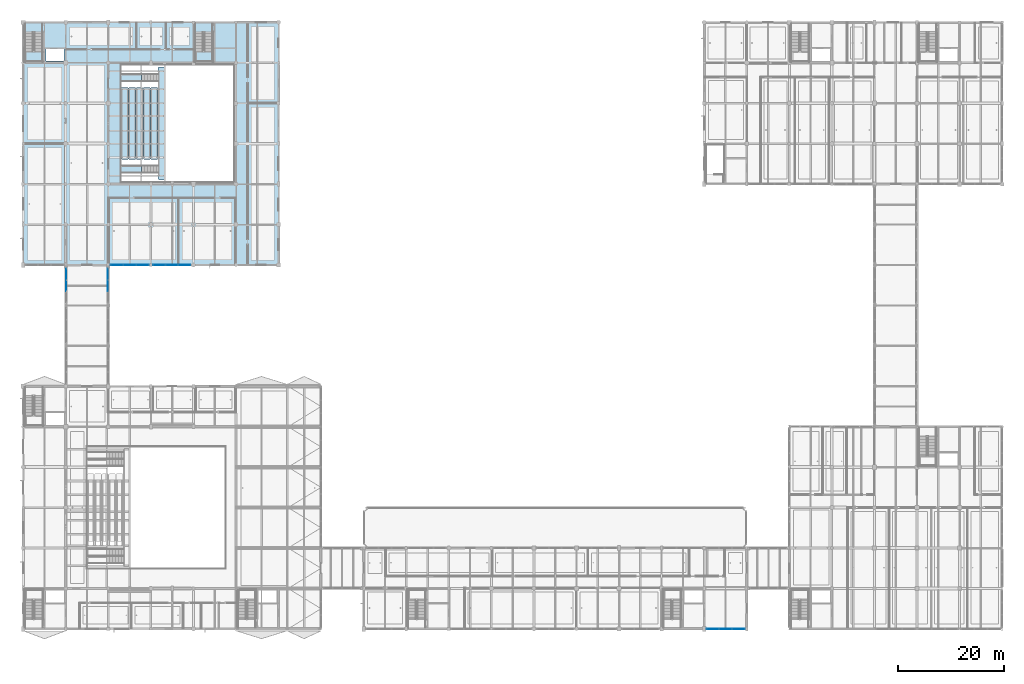
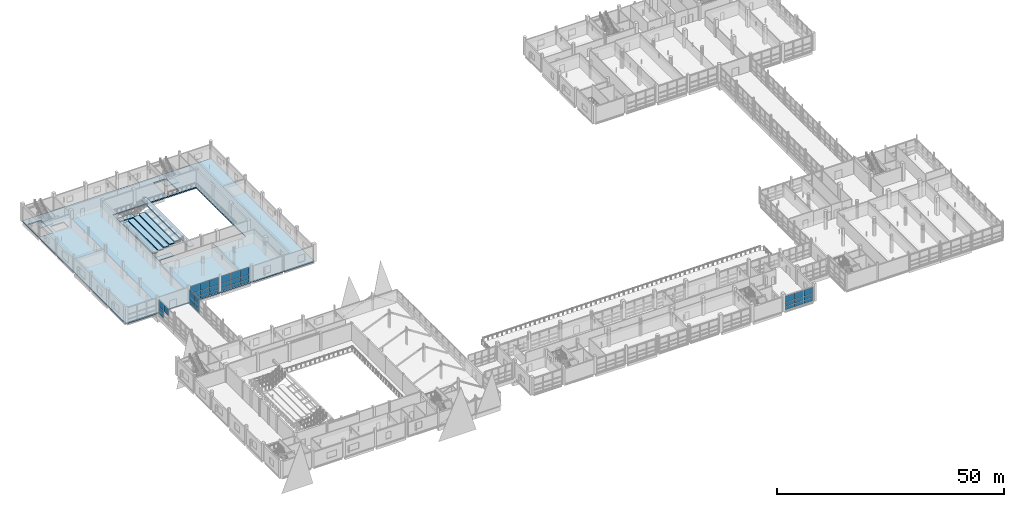
# One storey, part 72 of 147: 37 plates, 11 slabs, 9 elements without a shape of their own.
"""IFC4 building model written with IfcOpenShell, lengths in metres."""

from ifc_helpers import new_model, si_unit, direction, frame, origin, origin_2d, place, context, subcontext, project, spatial, polyline, rectangle, outline, extrude, material, layer, layer_set, type_object, element, aggregate, save


model = new_model("IFC4")

# Units and contexts
model_context = context("Model", 3, precision=1e-05, world=origin(), true_north=direction((0.0, 1.0)))
body_context = subcontext(model_context, "Body", "Model", "MODEL_VIEW")
ifc_project = project(units=[si_unit("LENGTHUNIT", "METRE"), si_unit("AREAUNIT", "SQUARE_METRE"), si_unit("VOLUMEUNIT", "CUBIC_METRE"), si_unit("PLANEANGLEUNIT", "RADIAN"), si_unit("MASSUNIT", "GRAM", prefix="KILO")], contexts=[model_context])

# Site, building, storey
site_placement = place(None, origin())
site = spatial("IfcSite", under=ifc_project, at=site_placement, CompositionType="ELEMENT")
building_placement = place(site_placement, origin())
building = spatial("IfcBuilding", under=site, at=building_placement, Name="Khelvaren Railside Concert Hall", CompositionType="ELEMENT")
storey_placement = place(building_placement, frame((0.0, 0.0, 5.39990234375)))
storey = spatial("IfcBuildingStorey", under=building, at=storey_placement, Name="L01", CompositionType="ELEMENT", Elevation=5.39990234375)

# Curtain wall, plates
ifc_material_1 = material(Name="Acoustic laminated crystal facade glass", Category="glass")
curtain_wall_type_1 = type_object("IfcCurtainWallType", Name="CW21", PredefinedType="USERDEFINED", material=ifc_material_1)
curtain_wall_1_placement = place(storey_placement, origin())
curtain_wall_1 = element("IfcCurtainWall", 1, at=curtain_wall_1_placement, inside=storey, type_object=curtain_wall_type_1, Name="Unitised Curtain Wall CW-V3-L01-S-128", ObjectType="UNITISED CURTAIN WALL", PredefinedType="USERDEFINED")
ifc_layer_1 = layer(ifc_material_1, 0.0400390625)
ifc_layer_set_1 = layer_set([ifc_layer_1], Name="Acoustic laminated crystal facade glass")
plate_type = type_object("IfcPlateType", Name="CWP77", PredefinedType="CURTAIN_PANEL", material=ifc_layer_set_1)
plate_1_placement = place(storey_placement, frame((134.435302734375, 0.0, 0.0849609375), z_axis=(0.0, 0.0, 1.0), x_axis=(-1.0, 0.0, 0.0)))
plate_1 = element("IfcPlate", 2, at=plate_1_placement, type_object=plate_type, Name="CW21 panel 1.1", PredefinedType="CURTAIN_PANEL", context=body_context, shape_type="SweptSolid", body=[
    extrude(rectangle(XDim=2.30419921875, YDim=0.0400390625, at=origin_2d()), origin(), (0.0, 0.0, 1.0), 0.822509765625),
])
plate_2_placement = place(storey_placement, frame((134.435302734375, 0.0, 0.99267578125), z_axis=(0.0, 0.0, 1.0), x_axis=(-1.0, 0.0, 0.0)))
plate_2 = element("IfcPlate", 3, at=plate_2_placement, type_object=plate_type, Name="CW21 panel 1.2", PredefinedType="CURTAIN_PANEL", context=body_context, shape_type="SweptSolid", body=[
    extrude(rectangle(XDim=2.30419921875, YDim=0.0400390625, at=origin_2d()), origin(), (0.0, 0.0, 1.0), 0.967041015625),
])
plate_3_placement = place(storey_placement, frame((134.435302734375, 0.0, 2.04443359375), z_axis=(0.0, 0.0, 1.0), x_axis=(-1.0, 0.0, 0.0)))
plate_3 = element("IfcPlate", 4, at=plate_3_placement, type_object=plate_type, Name="CW21 panel 1.3", PredefinedType="CURTAIN_PANEL", context=body_context, shape_type="SweptSolid", body=[
    extrude(rectangle(XDim=2.30419921875, YDim=0.0400390625, at=origin_2d()), origin(), (0.0, 0.0, 1.0), 1.720458984375),
])
plate_4_placement = place(storey_placement, frame((132.02490234375, 0.0, 0.0849609375), z_axis=(0.0, 0.0, 1.0), x_axis=(-1.0, 0.0, 0.0)))
plate_4 = element("IfcPlate", 5, at=plate_4_placement, type_object=plate_type, Name="CW21 panel 2.1", PredefinedType="CURTAIN_PANEL", context=body_context, shape_type="SweptSolid", body=[
    extrude(rectangle(XDim=2.3466796875, YDim=0.0400390625, at=origin_2d()), origin(), (0.0, 0.0, 1.0), 0.822509765625),
])
plate_5_placement = place(storey_placement, frame((132.02490234375, 0.0, 0.99267578125), z_axis=(0.0, 0.0, 1.0), x_axis=(-1.0, 0.0, 0.0)))
plate_5 = element("IfcPlate", 6, at=plate_5_placement, type_object=plate_type, Name="CW21 panel 2.2", PredefinedType="CURTAIN_PANEL", context=body_context, shape_type="SweptSolid", body=[
    extrude(rectangle(XDim=2.3466796875, YDim=0.0400390625, at=origin_2d()), origin(), (0.0, 0.0, 1.0), 0.967041015625),
])
plate_6_placement = place(storey_placement, frame((132.02490234375, 0.0, 2.04443359375), z_axis=(0.0, 0.0, 1.0), x_axis=(-1.0, 0.0, 0.0)))
plate_6 = element("IfcPlate", 7, at=plate_6_placement, type_object=plate_type, Name="CW21 panel 2.3", PredefinedType="CURTAIN_PANEL", context=body_context, shape_type="SweptSolid", body=[
    extrude(rectangle(XDim=2.3466796875, YDim=0.0400390625, at=origin_2d()), origin(), (0.0, 0.0, 1.0), 1.720458984375),
])
plate_7_placement = place(storey_placement, frame((129.614501953125, 0.0, 0.0849609375), z_axis=(0.0, 0.0, 1.0), x_axis=(-1.0, 0.0, 0.0)))
plate_7 = element("IfcPlate", 8, at=plate_7_placement, type_object=plate_type, Name="CW21 panel 3.1", PredefinedType="CURTAIN_PANEL", context=body_context, shape_type="SweptSolid", body=[
    extrude(rectangle(XDim=2.30419921875, YDim=0.0400390625, at=origin_2d()), origin(), (0.0, 0.0, 1.0), 0.822509765625),
])
plate_8_placement = place(storey_placement, frame((129.614501953125, 0.0, 0.99267578125), z_axis=(0.0, 0.0, 1.0), x_axis=(-1.0, 0.0, 0.0)))
plate_8 = element("IfcPlate", 9, at=plate_8_placement, type_object=plate_type, Name="CW21 panel 3.2", PredefinedType="CURTAIN_PANEL", context=body_context, shape_type="SweptSolid", body=[
    extrude(rectangle(XDim=2.30419921875, YDim=0.0400390625, at=origin_2d()), origin(), (0.0, 0.0, 1.0), 0.967041015625),
])
plate_9_placement = place(storey_placement, frame((129.614501953125, 0.0, 2.04443359375), z_axis=(0.0, 0.0, 1.0), x_axis=(-1.0, 0.0, 0.0)))
plate_9 = element("IfcPlate", 10, at=plate_9_placement, type_object=plate_type, Name="CW21 panel 3.3", PredefinedType="CURTAIN_PANEL", context=body_context, shape_type="SweptSolid", body=[
    extrude(rectangle(XDim=2.30419921875, YDim=0.0400390625, at=origin_2d()), origin(), (0.0, 0.0, 1.0), 1.720458984375),
])
aggregate(curtain_wall_1, [plate_1, plate_2, plate_3, plate_4, plate_5, plate_6, plate_7, plate_8, plate_9])

curtain_wall_type_2 = type_object("IfcCurtainWallType", Name="CW54", PredefinedType="USERDEFINED", material=ifc_material_1)
curtain_wall_2_placement = place(storey_placement, origin())
curtain_wall_2 = element("IfcCurtainWall", 11, at=curtain_wall_2_placement, inside=storey, type_object=curtain_wall_type_2, Name="Unitised Curtain Wall CW-V4-L01-S-16", ObjectType="UNITISED CURTAIN WALL", PredefinedType="USERDEFINED")
plate_10_placement = place(storey_placement, frame((22.435302734375, 68.39990234375, 0.0849609375), z_axis=(0.0, 0.0, 1.0), x_axis=(-1.0, 0.0, 0.0)))
plate_10 = element("IfcPlate", 12, at=plate_10_placement, type_object=plate_type, Name="CW54 panel 1.1", PredefinedType="CURTAIN_PANEL", context=body_context, shape_type="SweptSolid", body=[
    extrude(rectangle(XDim=2.30419921875, YDim=0.0400390625, at=origin_2d()), origin(), (0.0, 0.0, 1.0), 0.822509765625),
])
plate_11_placement = place(storey_placement, frame((22.435302734375, 68.39990234375, 0.99267578125), z_axis=(0.0, 0.0, 1.0), x_axis=(-1.0, 0.0, 0.0)))
plate_11 = element("IfcPlate", 13, at=plate_11_placement, type_object=plate_type, Name="CW54 panel 1.2", PredefinedType="CURTAIN_PANEL", context=body_context, shape_type="SweptSolid", body=[
    extrude(rectangle(XDim=2.30419921875, YDim=0.0400390625, at=origin_2d()), origin(), (0.0, 0.0, 1.0), 1.14892578125),
])
plate_12_placement = place(storey_placement, frame((22.435302734375, 68.39990234375, 2.2265625), z_axis=(0.0, 0.0, 1.0), x_axis=(-1.0, 0.0, 0.0)))
plate_12 = element("IfcPlate", 14, at=plate_12_placement, type_object=plate_type, Name="CW54 panel 1.3", PredefinedType="CURTAIN_PANEL", context=body_context, shape_type="SweptSolid", body=[
    extrude(rectangle(XDim=2.30419921875, YDim=0.0400390625, at=origin_2d()), origin(), (0.0, 0.0, 1.0), 1.888427734375),
])
plate_13_placement = place(storey_placement, frame((20.02490234375, 68.39990234375, 0.0849609375), z_axis=(0.0, 0.0, 1.0), x_axis=(-1.0, 0.0, 0.0)))
plate_13 = element("IfcPlate", 15, at=plate_13_placement, type_object=plate_type, Name="CW54 panel 2.1", PredefinedType="CURTAIN_PANEL", context=body_context, shape_type="SweptSolid", body=[
    extrude(rectangle(XDim=2.3466796875, YDim=0.0400390625, at=origin_2d()), origin(), (0.0, 0.0, 1.0), 0.822509765625),
])
plate_14_placement = place(storey_placement, frame((20.02490234375, 68.39990234375, 0.99267578125), z_axis=(0.0, 0.0, 1.0), x_axis=(-1.0, 0.0, 0.0)))
plate_14 = element("IfcPlate", 16, at=plate_14_placement, type_object=plate_type, Name="CW54 panel 2.2", PredefinedType="CURTAIN_PANEL", context=body_context, shape_type="SweptSolid", body=[
    extrude(rectangle(XDim=2.3466796875, YDim=0.0400390625, at=origin_2d()), origin(), (0.0, 0.0, 1.0), 1.14892578125),
])
plate_15_placement = place(storey_placement, frame((20.02490234375, 68.39990234375, 2.2265625), z_axis=(0.0, 0.0, 1.0), x_axis=(-1.0, 0.0, 0.0)))
plate_15 = element("IfcPlate", 17, at=plate_15_placement, type_object=plate_type, Name="CW54 panel 2.3", PredefinedType="CURTAIN_PANEL", context=body_context, shape_type="SweptSolid", body=[
    extrude(rectangle(XDim=2.3466796875, YDim=0.0400390625, at=origin_2d()), origin(), (0.0, 0.0, 1.0), 1.888427734375),
])
plate_16_placement = place(storey_placement, frame((17.614501953125, 68.39990234375, 0.0849609375), z_axis=(0.0, 0.0, 1.0), x_axis=(-1.0, 0.0, 0.0)))
plate_16 = element("IfcPlate", 18, at=plate_16_placement, type_object=plate_type, Name="CW54 panel 3.1", PredefinedType="CURTAIN_PANEL", context=body_context, shape_type="SweptSolid", body=[
    extrude(rectangle(XDim=2.30419921875, YDim=0.0400390625, at=origin_2d()), origin(), (0.0, 0.0, 1.0), 0.822509765625),
])
plate_17_placement = place(storey_placement, frame((17.614501953125, 68.39990234375, 0.99267578125), z_axis=(0.0, 0.0, 1.0), x_axis=(-1.0, 0.0, 0.0)))
plate_17 = element("IfcPlate", 19, at=plate_17_placement, type_object=plate_type, Name="CW54 panel 3.2", PredefinedType="CURTAIN_PANEL", context=body_context, shape_type="SweptSolid", body=[
    extrude(rectangle(XDim=2.30419921875, YDim=0.0400390625, at=origin_2d()), origin(), (0.0, 0.0, 1.0), 1.14892578125),
])
plate_18_placement = place(storey_placement, frame((17.614501953125, 68.39990234375, 2.2265625), z_axis=(0.0, 0.0, 1.0), x_axis=(-1.0, 0.0, 0.0)))
plate_18 = element("IfcPlate", 20, at=plate_18_placement, type_object=plate_type, Name="CW54 panel 3.3", PredefinedType="CURTAIN_PANEL", context=body_context, shape_type="SweptSolid", body=[
    extrude(rectangle(XDim=2.30419921875, YDim=0.0400390625, at=origin_2d()), origin(), (0.0, 0.0, 1.0), 1.888427734375),
])
aggregate(curtain_wall_2, [plate_10, plate_11, plate_12, plate_13, plate_14, plate_15, plate_16, plate_17, plate_18])

curtain_wall_type_3 = type_object("IfcCurtainWallType", Name="CW66", PredefinedType="USERDEFINED", material=ifc_material_1)
curtain_wall_3_placement = place(storey_placement, origin())
curtain_wall_3 = element("IfcCurtainWall", 21, at=curtain_wall_3_placement, inside=storey, type_object=curtain_wall_type_3, Name="Unitised Curtain Wall CW-V4-L01-S-24", ObjectType="UNITISED CURTAIN WALL", PredefinedType="USERDEFINED")
plate_19_placement = place(storey_placement, frame((30.302001953125, 68.39990234375, 0.0849609375), z_axis=(0.0, 0.0, 1.0), x_axis=(-1.0, 0.0, 0.0)))
plate_19 = element("IfcPlate", 22, at=plate_19_placement, type_object=plate_type, Name="CW66 panel 1.1", PredefinedType="CURTAIN_PANEL", context=body_context, shape_type="SweptSolid", body=[
    extrude(rectangle(XDim=2.270751953125, YDim=0.0400390625, at=origin_2d()), origin(), (0.0, 0.0, 1.0), 0.822509765625),
])
plate_20_placement = place(storey_placement, frame((30.302001953125, 68.39990234375, 0.99267578125), z_axis=(0.0, 0.0, 1.0), x_axis=(-1.0, 0.0, 0.0)))
plate_20 = element("IfcPlate", 23, at=plate_20_placement, type_object=plate_type, Name="CW66 panel 1.2", PredefinedType="CURTAIN_PANEL", context=body_context, shape_type="SweptSolid", body=[
    extrude(rectangle(XDim=2.270751953125, YDim=0.0400390625, at=origin_2d()), origin(), (0.0, 0.0, 1.0), 1.14892578125),
])
plate_21_placement = place(storey_placement, frame((30.302001953125, 68.39990234375, 2.2265625), z_axis=(0.0, 0.0, 1.0), x_axis=(-1.0, 0.0, 0.0)))
plate_21 = element("IfcPlate", 24, at=plate_21_placement, type_object=plate_type, Name="CW66 panel 1.3", PredefinedType="CURTAIN_PANEL", context=body_context, shape_type="SweptSolid", body=[
    extrude(rectangle(XDim=2.270751953125, YDim=0.0400390625, at=origin_2d()), origin(), (0.0, 0.0, 1.0), 1.888427734375),
])
plate_22_placement = place(storey_placement, frame((27.925048828125, 68.39990234375, 0.0849609375), z_axis=(0.0, 0.0, 1.0), x_axis=(-1.0, 0.0, 0.0)))
plate_22 = element("IfcPlate", 25, at=plate_22_placement, type_object=plate_type, Name="CW66 panel 2.1", PredefinedType="CURTAIN_PANEL", context=body_context, shape_type="SweptSolid", body=[
    extrude(rectangle(XDim=2.313232421875, YDim=0.0400390625, at=origin_2d()), origin(), (0.0, 0.0, 1.0), 0.822509765625),
])
plate_23_placement = place(storey_placement, frame((27.925048828125, 68.39990234375, 0.99267578125), z_axis=(0.0, 0.0, 1.0), x_axis=(-1.0, 0.0, 0.0)))
plate_23 = element("IfcPlate", 26, at=plate_23_placement, type_object=plate_type, Name="CW66 panel 2.2", PredefinedType="CURTAIN_PANEL", context=body_context, shape_type="SweptSolid", body=[
    extrude(rectangle(XDim=2.313232421875, YDim=0.0400390625, at=origin_2d()), origin(), (0.0, 0.0, 1.0), 1.14892578125),
])
plate_24_placement = place(storey_placement, frame((27.925048828125, 68.39990234375, 2.2265625), z_axis=(0.0, 0.0, 1.0), x_axis=(-1.0, 0.0, 0.0)))
plate_24 = element("IfcPlate", 27, at=plate_24_placement, type_object=plate_type, Name="CW66 panel 2.3", PredefinedType="CURTAIN_PANEL", context=body_context, shape_type="SweptSolid", body=[
    extrude(rectangle(XDim=2.313232421875, YDim=0.0400390625, at=origin_2d()), origin(), (0.0, 0.0, 1.0), 1.888427734375),
])
plate_25_placement = place(storey_placement, frame((25.5478515625, 68.39990234375, 0.0849609375), z_axis=(0.0, 0.0, 1.0), x_axis=(-1.0, 0.0, 0.0)))
plate_25 = element("IfcPlate", 28, at=plate_25_placement, type_object=plate_type, Name="CW66 panel 3.1", PredefinedType="CURTAIN_PANEL", context=body_context, shape_type="SweptSolid", body=[
    extrude(rectangle(XDim=2.270751953125, YDim=0.0400390625, at=origin_2d()), origin(), (0.0, 0.0, 1.0), 0.822509765625),
])
plate_26_placement = place(storey_placement, frame((25.5478515625, 68.39990234375, 0.99267578125), z_axis=(0.0, 0.0, 1.0), x_axis=(-1.0, 0.0, 0.0)))
plate_26 = element("IfcPlate", 29, at=plate_26_placement, type_object=plate_type, Name="CW66 panel 3.2", PredefinedType="CURTAIN_PANEL", context=body_context, shape_type="SweptSolid", body=[
    extrude(rectangle(XDim=2.270751953125, YDim=0.0400390625, at=origin_2d()), origin(), (0.0, 0.0, 1.0), 1.14892578125),
])
plate_27_placement = place(storey_placement, frame((25.5478515625, 68.39990234375, 2.2265625), z_axis=(0.0, 0.0, 1.0), x_axis=(-1.0, 0.0, 0.0)))
plate_27 = element("IfcPlate", 30, at=plate_27_placement, type_object=plate_type, Name="CW66 panel 3.3", PredefinedType="CURTAIN_PANEL", context=body_context, shape_type="SweptSolid", body=[
    extrude(rectangle(XDim=2.270751953125, YDim=0.0400390625, at=origin_2d()), origin(), (0.0, 0.0, 1.0), 1.888427734375),
])
aggregate(curtain_wall_3, [plate_19, plate_20, plate_21, plate_22, plate_23, plate_24, plate_25, plate_26, plate_27])

curtain_wall_type_4 = type_object("IfcCurtainWallType", Name="CW78", PredefinedType="USERDEFINED", material=ifc_material_1)
curtain_wall_4_placement = place(storey_placement, origin())
curtain_wall_4 = element("IfcCurtainWall", 31, at=curtain_wall_4_placement, inside=storey, type_object=curtain_wall_type_4, Name="Unitised Curtain Wall CW-LB3-L01-W3", ObjectType="UNITISED CURTAIN WALL", PredefinedType="USERDEFINED")
plate_28_placement = place(storey_placement, frame((8.10009765625, 64.52490234375, 2.1123046875), z_axis=(0.0, 0.0, 1.0), x_axis=(0.0, 1.0, 0.0)))
plate_28 = element("IfcPlate", 32, at=plate_28_placement, type_object=plate_type, Name="CW78 panel 2.3", PredefinedType="CURTAIN_PANEL", context=body_context, shape_type="SweptSolid", body=[
    extrude(rectangle(XDim=2.078369140625, YDim=0.0400390625, at=origin_2d()), origin(), (0.0, 0.0, 1.0), 1.782958984375),
])
plate_29_placement = place(storey_placement, frame((8.10009765625, 66.6669921875, 0.0849609375), z_axis=(0.0, 0.0, 1.0), x_axis=(0.0, 1.0, 0.0)))
plate_29 = element("IfcPlate", 33, at=plate_29_placement, type_object=plate_type, Name="CW78 panel 3.1", PredefinedType="CURTAIN_PANEL", context=body_context, shape_type="SweptSolid", body=[
    extrude(rectangle(XDim=2.035888671875, YDim=0.0400390625, at=origin_2d()), origin(), (0.0, 0.0, 1.0), 0.822509765625),
])
plate_30_placement = place(storey_placement, frame((8.10009765625, 66.6669921875, 0.99267578125), z_axis=(0.0, 0.0, 1.0), x_axis=(0.0, 1.0, 0.0)))
plate_30 = element("IfcPlate", 34, at=plate_30_placement, type_object=plate_type, Name="CW78 panel 3.2", PredefinedType="CURTAIN_PANEL", context=body_context, shape_type="SweptSolid", body=[
    extrude(rectangle(XDim=2.035888671875, YDim=0.0400390625, at=origin_2d()), origin(), (0.0, 0.0, 1.0), 1.03466796875),
])
plate_31_placement = place(storey_placement, frame((8.10009765625, 66.6669921875, 2.1123046875), z_axis=(0.0, 0.0, 1.0), x_axis=(0.0, 1.0, 0.0)))
plate_31 = element("IfcPlate", 35, at=plate_31_placement, type_object=plate_type, Name="CW78 panel 3.3", PredefinedType="CURTAIN_PANEL", context=body_context, shape_type="SweptSolid", body=[
    extrude(rectangle(XDim=2.035888671875, YDim=0.0400390625, at=origin_2d()), origin(), (0.0, 0.0, 1.0), 1.782958984375),
])
aggregate(curtain_wall_4, [plate_28, plate_29, plate_30, plate_31])

curtain_wall_5_placement = place(storey_placement, origin())
curtain_wall_5 = element("IfcCurtainWall", 36, at=curtain_wall_5_placement, inside=storey, type_object=curtain_wall_type_4, Name="Unitised Curtain Wall CW-LB3-L01-E3", ObjectType="UNITISED CURTAIN WALL", PredefinedType="USERDEFINED")
plate_32_placement = place(storey_placement, frame((15.89990234375, 66.6669921875, 0.0849609375), z_axis=(0.0, 0.0, 1.0), x_axis=(0.0, -1.0, 0.0)))
plate_32 = element("IfcPlate", 37, at=plate_32_placement, type_object=plate_type, Name="CW78 panel 1.1", PredefinedType="CURTAIN_PANEL", context=body_context, shape_type="SweptSolid", body=[
    extrude(rectangle(XDim=2.035888671875, YDim=0.0400390625, at=origin_2d()), origin(), (0.0, 0.0, 1.0), 0.822509765625),
])
plate_33_placement = place(storey_placement, frame((15.89990234375, 66.6669921875, 0.99267578125), z_axis=(0.0, 0.0, 1.0), x_axis=(0.0, -1.0, 0.0)))
plate_33 = element("IfcPlate", 38, at=plate_33_placement, type_object=plate_type, Name="CW78 panel 1.2", PredefinedType="CURTAIN_PANEL", context=body_context, shape_type="SweptSolid", body=[
    extrude(rectangle(XDim=2.035888671875, YDim=0.0400390625, at=origin_2d()), origin(), (0.0, 0.0, 1.0), 1.03466796875),
])
plate_34_placement = place(storey_placement, frame((15.89990234375, 66.6669921875, 2.1123046875), z_axis=(0.0, 0.0, 1.0), x_axis=(0.0, -1.0, 0.0)))
plate_34 = element("IfcPlate", 39, at=plate_34_placement, type_object=plate_type, Name="CW78 panel 1.3", PredefinedType="CURTAIN_PANEL", context=body_context, shape_type="SweptSolid", body=[
    extrude(rectangle(XDim=2.035888671875, YDim=0.0400390625, at=origin_2d()), origin(), (0.0, 0.0, 1.0), 1.782958984375),
])
plate_35_placement = place(storey_placement, frame((15.89990234375, 64.52490234375, 0.0849609375), z_axis=(0.0, 0.0, 1.0), x_axis=(0.0, -1.0, 0.0)))
plate_35 = element("IfcPlate", 40, at=plate_35_placement, type_object=plate_type, Name="CW78 panel 2.1", PredefinedType="CURTAIN_PANEL", context=body_context, shape_type="SweptSolid", body=[
    extrude(rectangle(XDim=2.078369140625, YDim=0.0400390625, at=origin_2d()), origin(), (0.0, 0.0, 1.0), 0.822509765625),
])
plate_36_placement = place(storey_placement, frame((15.89990234375, 64.52490234375, 0.99267578125), z_axis=(0.0, 0.0, 1.0), x_axis=(0.0, -1.0, 0.0)))
plate_36 = element("IfcPlate", 41, at=plate_36_placement, type_object=plate_type, Name="CW78 panel 2.2", PredefinedType="CURTAIN_PANEL", context=body_context, shape_type="SweptSolid", body=[
    extrude(rectangle(XDim=2.078369140625, YDim=0.0400390625, at=origin_2d()), origin(), (0.0, 0.0, 1.0), 1.03466796875),
])
plate_37_placement = place(storey_placement, frame((15.89990234375, 64.52490234375, 2.1123046875), z_axis=(0.0, 0.0, 1.0), x_axis=(0.0, -1.0, 0.0)))
plate_37 = element("IfcPlate", 42, at=plate_37_placement, type_object=plate_type, Name="CW78 panel 2.3", PredefinedType="CURTAIN_PANEL", context=body_context, shape_type="SweptSolid", body=[
    extrude(rectangle(XDim=2.078369140625, YDim=0.0400390625, at=origin_2d()), origin(), (0.0, 0.0, 1.0), 1.782958984375),
])
aggregate(curtain_wall_5, [plate_32, plate_33, plate_34, plate_35, plate_36, plate_37])

# Slab
ifc_material_2 = material(Name="Concrete C40/50", Category="concrete")
ifc_layer_2 = layer(ifc_material_2, 0.300048828125)
ifc_layer_set_2 = layer_set([ifc_layer_2], Name="Concrete C40/50")
slab_type_1 = type_object("IfcSlabType", Name="FS86", PredefinedType="FLOOR", material=ifc_layer_set_2)
slab_1_placement = place(storey_placement, frame((0.0, 0.0, -0.2998046875)))
element("IfcSlab", 43, at=slab_1_placement, inside=storey, type_object=slab_type_1, Name="V4 L01 Structural Floor Slab", PredefinedType="FLOOR", context=body_context, shape_type="SweptSolid", body=[
    extrude(outline(polyline([(0.0, 68.39990234375), (48.0, 68.39990234375), (48.0, 114.0), (0.0, 114.0), (0.0, 68.39990234375)]), holes=[polyline([(0.300048828125, 112.159912109375), (0.300048828125, 106.639892578125), (3.6201171875, 106.639892578125), (3.6201171875, 112.159912109375), (0.300048828125, 112.159912109375)]), polyline([(4.25, 106.75), (7.64990234375, 106.75), (7.64990234375, 109.050048828125), (4.25, 109.050048828125), (4.25, 106.75)]), polyline([(32.300048828125, 112.159912109375), (32.300048828125, 106.639892578125), (35.6201171875, 106.639892578125), (35.6201171875, 112.159912109375), (32.300048828125, 112.159912109375)]), polyline([(18.39990234375, 84.0), (39.60009765625, 84.0), (39.60009765625, 106.0), (18.39990234375, 106.0), (18.39990234375, 84.0)])]), origin(), (0.0, 0.0, 1.0), 0.2998046875),
])

# Stair, slab
stair_type_1 = type_object("IfcStairType", Name="ST70", PredefinedType="HALF_TURN_STAIR", material=ifc_material_2)
stair_1_placement = place(storey_placement, origin())
stair_1 = element("IfcStair", 44, at=stair_1_placement, inside=storey, type_object=stair_type_1, Name="L01 Core Exit Stair ST-07", PredefinedType="HALF_TURN_STAIR")
ifc_layer_3 = layer(ifc_material_2, 0.199951171875)
ifc_layer_set_3 = layer_set([ifc_layer_3], Name="Concrete C40/50")
slab_type_2 = type_object("IfcSlabType", Name="LND67", PredefinedType="LANDING", material=ifc_layer_set_3)
slab_2_placement = place(storey_placement, frame((0.0, 0.0, 2.2001953125)))
slab_2 = element("IfcSlab", 45, at=slab_2_placement, type_object=slab_type_2, Name="ST-07 landing 1", PredefinedType="LANDING", context=body_context, shape_type="SweptSolid", body=[
    extrude(outline(polyline([(0.300048828125, 108.52001953125), (0.300048828125, 106.639892578125), (3.6201171875, 106.639892578125), (3.6201171875, 108.52001953125), (0.300048828125, 108.52001953125)])), origin(), (0.0, 0.0, 1.0), 0.199951171875),
])
aggregate(stair_1, [slab_2])

stair_2_placement = place(storey_placement, origin())
stair_2 = element("IfcStair", 46, at=stair_2_placement, inside=storey, type_object=stair_type_1, Name="L01 Core Exit Stair ST-08", PredefinedType="HALF_TURN_STAIR")
slab_3_placement = place(storey_placement, frame((0.0, 0.0, 2.2001953125)))
slab_3 = element("IfcSlab", 47, at=slab_3_placement, type_object=slab_type_2, Name="ST-08 landing 1", PredefinedType="LANDING", context=body_context, shape_type="SweptSolid", body=[
    extrude(outline(polyline([(32.300048828125, 108.52001953125), (32.300048828125, 106.639892578125), (35.6201171875, 106.639892578125), (35.6201171875, 108.52001953125), (32.300048828125, 108.52001953125)])), origin(), (0.0, 0.0, 1.0), 0.199951171875),
])
aggregate(stair_2, [slab_3])

ifc_material_3 = material(Name="Precast architectural concrete C40/50", Category="concrete")
stair_type_2 = type_object("IfcStairType", Name="VST15", PredefinedType="STRAIGHT_RUN_STAIR", material=ifc_material_3)
stair_3_placement = place(storey_placement, origin())
stair_3 = element("IfcStair", 48, at=stair_3_placement, inside=storey, type_object=stair_type_2, Name="Auditorium Vomitory Stair ST-25", PredefinedType="STRAIGHT_RUN_STAIR")
slab_4_placement = place(storey_placement, frame((0.0, 0.0, -0.199951171875)))
slab_4 = element("IfcSlab", 49, at=slab_4_placement, type_object=slab_type_2, Name="ST-25 landing 1", PredefinedType="LANDING", context=body_context, shape_type="SweptSolid", body=[
    extrude(outline(polyline([(18.39990234375, 85.699951171875), (22.219970703125, 85.699951171875), (22.219970703125, 87.10009765625), (18.39990234375, 87.10009765625), (18.39990234375, 85.699951171875)])), origin(), (0.0, 0.0, 1.0), 0.199951171875),
])
aggregate(stair_3, [slab_4])

stair_4_placement = place(storey_placement, origin())
stair_4 = element("IfcStair", 50, at=stair_4_placement, inside=storey, type_object=stair_type_2, Name="Auditorium Vomitory Stair ST-26", PredefinedType="STRAIGHT_RUN_STAIR")
slab_5_placement = place(storey_placement, frame((0.0, 0.0, -0.199951171875)))
slab_5 = element("IfcSlab", 51, at=slab_5_placement, type_object=slab_type_2, Name="ST-26 landing 1", PredefinedType="LANDING", context=body_context, shape_type="SweptSolid", body=[
    extrude(outline(polyline([(18.39990234375, 102.89990234375), (22.219970703125, 102.89990234375), (22.219970703125, 104.300048828125), (18.39990234375, 104.300048828125), (18.39990234375, 102.89990234375)])), origin(), (0.0, 0.0, 1.0), 0.199951171875),
])
aggregate(stair_4, [slab_5])

# Slabs
ifc_layer_4 = layer(ifc_material_2, 0.25)
ifc_layer_set_4 = layer_set([ifc_layer_4], Name="Concrete C40/50")
slab_type_3 = type_object("IfcSlabType", Name="TS60", PredefinedType="USERDEFINED", material=ifc_layer_set_4)
slab_6_placement = place(storey_placement, frame((0.0, 0.0, 0.090087890625)))
element("IfcSlab", 52, at=slab_6_placement, inside=storey, type_object=slab_type_3, Name="V4-L01 Balcony Seating Tier 1", ObjectType="SEATING TIER", PredefinedType="USERDEFINED", context=body_context, shape_type="SweptSolid", body=[
    extrude(outline(polyline([(18.60009765625, 88.199951171875), (19.6201171875, 88.199951171875), (19.820068359375, 88.39990234375), (19.820068359375, 101.60009765625), (19.6201171875, 101.800048828125), (18.60009765625, 101.800048828125), (18.39990234375, 101.60009765625), (18.39990234375, 88.39990234375), (18.60009765625, 88.199951171875)])), origin(), (0.0, 0.0, 1.0), 0.25),
])
slab_7_placement = place(storey_placement, frame((0.0, 0.0, 0.43017578125)))
element("IfcSlab", 53, at=slab_7_placement, inside=storey, type_object=slab_type_3, Name="V4-L01 Balcony Seating Tier 2", ObjectType="SEATING TIER", PredefinedType="USERDEFINED", context=body_context, shape_type="SweptSolid", body=[
    extrude(outline(polyline([(19.97998046875, 88.199951171875), (21.0, 88.199951171875), (21.199951171875, 88.39990234375), (21.199951171875, 101.60009765625), (21.0, 101.800048828125), (19.97998046875, 101.800048828125), (19.780029296875, 101.60009765625), (19.780029296875, 88.39990234375), (19.97998046875, 88.199951171875)])), origin(), (0.0, 0.0, 1.0), 0.25),
])
slab_8_placement = place(storey_placement, frame((0.0, 0.0, 0.77001953125)))
element("IfcSlab", 54, at=slab_8_placement, inside=storey, type_object=slab_type_3, Name="V4-L01 Balcony Seating Tier 3", ObjectType="SEATING TIER", PredefinedType="USERDEFINED", context=body_context, shape_type="SweptSolid", body=[
    extrude(outline(polyline([(21.360107421875, 88.199951171875), (22.3798828125, 88.199951171875), (22.580078125, 88.39990234375), (22.580078125, 101.60009765625), (22.3798828125, 101.800048828125), (21.360107421875, 101.800048828125), (21.159912109375, 101.60009765625), (21.159912109375, 88.39990234375), (21.360107421875, 88.199951171875)])), origin(), (0.0, 0.0, 1.0), 0.25),
])
slab_9_placement = place(storey_placement, frame((0.0, 0.0, 1.110107421875)))
element("IfcSlab", 55, at=slab_9_placement, inside=storey, type_object=slab_type_3, Name="V4-L01 Balcony Seating Tier 4", ObjectType="SEATING TIER", PredefinedType="USERDEFINED", context=body_context, shape_type="SweptSolid", body=[
    extrude(outline(polyline([(22.739990234375, 88.199951171875), (23.760009765625, 88.199951171875), (23.9599609375, 88.39990234375), (23.9599609375, 101.60009765625), (23.760009765625, 101.800048828125), (22.739990234375, 101.800048828125), (22.5400390625, 101.60009765625), (22.5400390625, 88.39990234375), (22.739990234375, 88.199951171875)])), origin(), (0.0, 0.0, 1.0), 0.25),
])
slab_10_placement = place(storey_placement, frame((0.0, 0.0, 1.4501953125)))
element("IfcSlab", 56, at=slab_10_placement, inside=storey, type_object=slab_type_3, Name="V4-L01 Balcony Seating Tier 5", ObjectType="SEATING TIER", PredefinedType="USERDEFINED", context=body_context, shape_type="SweptSolid", body=[
    extrude(outline(polyline([(24.1201171875, 88.199951171875), (25.139892578125, 88.199951171875), (25.340087890625, 88.39990234375), (25.340087890625, 101.60009765625), (25.139892578125, 101.800048828125), (24.1201171875, 101.800048828125), (23.919921875, 101.60009765625), (23.919921875, 88.39990234375), (24.1201171875, 88.199951171875)])), origin(), (0.0, 0.0, 1.0), 0.25),
])
slab_11_placement = place(storey_placement, frame((0.0, 0.0, 1.7900390625)))
element("IfcSlab", 57, at=slab_11_placement, inside=storey, type_object=slab_type_3, Name="V4-L01 Balcony Seating Tier 6", ObjectType="SEATING TIER", PredefinedType="USERDEFINED", context=body_context, shape_type="SweptSolid", body=[
    extrude(outline(polyline([(25.5, 84.39990234375), (26.52001953125, 84.39990234375), (26.719970703125, 84.60009765625), (26.719970703125, 105.39990234375), (26.52001953125, 105.60009765625), (25.5, 105.60009765625), (25.300048828125, 105.39990234375), (25.300048828125, 84.60009765625), (25.5, 84.39990234375)])), origin(), (0.0, 0.0, 1.0), 0.25),
])

save(model, "model.ifc")
